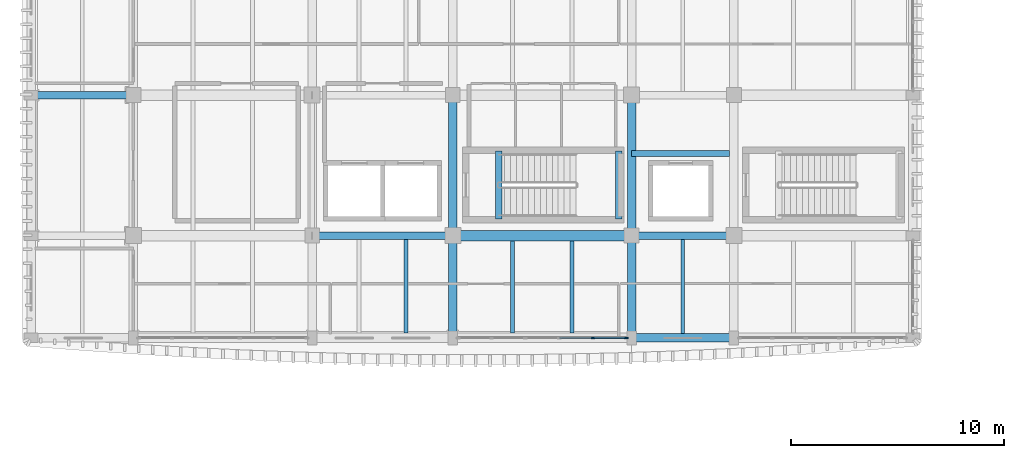
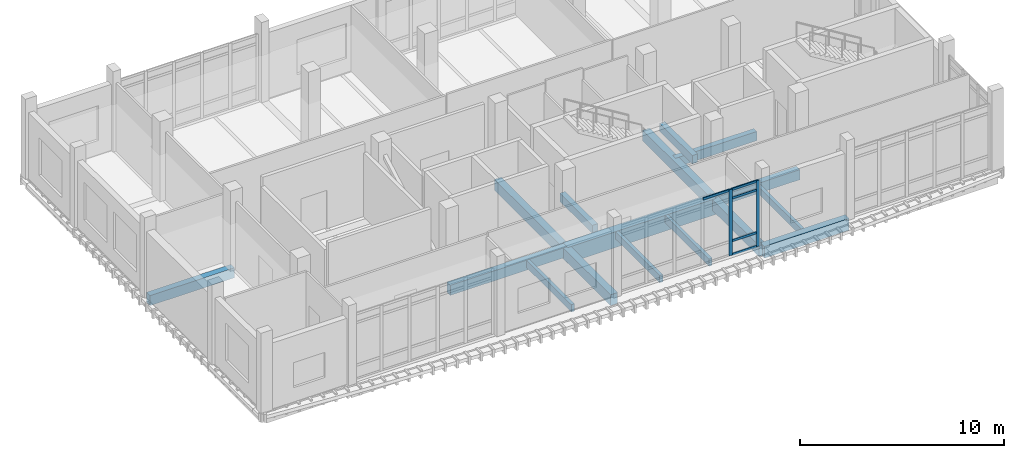
# One storey, part 3 of 37: 16 beams, 7 members, 1 element without a shape of its own.
"""IFC4 building model written with IfcOpenShell, lengths in metres."""

from ifc_helpers import new_model, si_unit, direction, frame, origin, origin_2d, place, context, subcontext, project, spatial, rectangle, extrude, material, material_profile, profile_set, type_object, element, aggregate, save


model = new_model("IFC4")

# Units and contexts
model_context = context("Model", 3, precision=1e-05, world=origin(), true_north=direction((0.0, 1.0)))
body_context = subcontext(model_context, "Body", "Model", "MODEL_VIEW")
ifc_project = project(units=[si_unit("LENGTHUNIT", "METRE"), si_unit("AREAUNIT", "SQUARE_METRE"), si_unit("VOLUMEUNIT", "CUBIC_METRE"), si_unit("PLANEANGLEUNIT", "RADIAN"), si_unit("MASSUNIT", "GRAM", prefix="KILO")], contexts=[model_context])

# Site, building, storey
site_placement = place(None, origin())
site = spatial("IfcSite", under=ifc_project, at=site_placement, CompositionType="ELEMENT")
building_placement = place(site_placement, origin())
building = spatial("IfcBuilding", under=site, at=building_placement, Name="Dornvale Research Institute", CompositionType="ELEMENT")
storey_placement = place(building_placement, frame((0.0, 0.0, 29.39990234375)))
storey = spatial("IfcBuildingStorey", under=building, at=storey_placement, Name="L06", CompositionType="ELEMENT", Elevation=29.39990234375)

# Beams
ifc_material_1 = material(Name="Concrete f'c 45 MPa (C35/45)", Category="concrete")
ifc_material_profile_1 = material_profile(ifc_material_1, rectangle(XDim=0.300048828125, YDim=0.5, at=origin_2d()), Name="RC 300x500")
ifc_profile_set_1 = profile_set([ifc_material_profile_1], Name="Concrete f'c 45 MPa (C35/45)")
beam_type_1 = type_object("IfcBeamType", Name="Beam_RC300x500_Trim", PredefinedType="BEAM", material=ifc_profile_set_1)
for number, where, z_axis, x_axis, name in (
    (1, (21.949951171875, 104.580078125, -0.25), (0.0, 1.0, 0.0), (-1.0, 0.0, 0.0), "L06 ST-1 stair landing trimmer beam #7"),
    (2, (27.60009765625, 104.580078125, 1.9501953125), (0.0, 1.0, 0.0), (-1.0, 0.0, 0.0), "L06 ST-1 half-landing support beam #20"),
):
    element("IfcBeam", number, at=place(storey_placement, frame(where, z_axis=z_axis, x_axis=x_axis)), inside=storey, type_object=beam_type_1, Name=name, PredefinedType="BEAM", context=body_context, shape_type="SweptSolid", body=[
        extrude(rectangle(XDim=0.300048828125, YDim=0.5, at=origin_2d()), origin(), (0.0, 0.0, 1.0), 3.199951171875),
    ])
ifc_material_2 = material(Name="Concrete f'c 45 MPa (C35/45)", Category="concrete")
ifc_material_profile_2 = material_profile(ifc_material_2, rectangle(XDim=0.35009765625, YDim=0.60009765625, at=origin_2d()), Name="RC 350x600")
ifc_profile_set_2 = profile_set([ifc_material_profile_2], Name="Concrete f'c 45 MPa (C35/45)")
beam_type_2 = type_object("IfcBeamType", Name="Beam_RC350x600_Floor", PredefinedType="BEAM", material=ifc_profile_set_2)
beam_1_placement = place(storey_placement, frame((13.199951171875, 103.800048828125, -0.2998046875), z_axis=(1.0, 0.0, 0.0), x_axis=(0.0, 1.0, 0.0)))
element("IfcBeam", 3, at=beam_1_placement, inside=storey, type_object=beam_type_2, Name="L06 primary girder #1448", PredefinedType="BEAM", context=body_context, shape_type="SweptSolid", body=[
    extrude(rectangle(XDim=0.35009765625, YDim=0.60009765625, at=origin_2d()), origin(), (0.0, 0.0, 1.0), 6.60009765625),
])
for number, where, z_axis, x_axis, name in (
    (4, (28.199951171875, 103.800048828125, -0.2998046875), (1.0, 0.0, 0.0), (0.0, 1.0, 0.0), "L06 primary girder #1450"),
    (5, (0.0, 110.39990234375, -0.2998046875), (1.0, 0.0, 0.0), (0.0, 1.0, 0.0), "L06 primary girder #1452"),
):
    element("IfcBeam", number, at=place(storey_placement, frame(where, z_axis=z_axis, x_axis=x_axis)), inside=storey, type_object=beam_type_2, Name=name, PredefinedType="BEAM", context=body_context, shape_type="SweptSolid", body=[
        extrude(rectangle(XDim=0.35009765625, YDim=0.60009765625, at=origin_2d()), origin(), (0.0, 0.0, 1.0), 4.800048828125),
    ])
ifc_material_3 = material(Name="Concrete f'c 45 MPa (C35/45)", Category="concrete")
ifc_material_profile_3 = material_profile(ifc_material_3, rectangle(XDim=0.39990234375, YDim=0.64990234375, at=origin_2d()), Name="RC 400x650")
ifc_profile_set_3 = profile_set([ifc_material_profile_3], Name="Concrete f'c 45 MPa (C35/45)")
beam_type_3 = type_object("IfcBeamType", Name="Beam_RC400x650_Floor", PredefinedType="BEAM", material=ifc_profile_set_3)
beam_2_placement = place(storey_placement, frame((19.800048828125, 99.0, -0.324951171875), z_axis=(0.0, 1.0, 0.0), x_axis=(-1.0, 0.0, 0.0)))
element("IfcBeam", 6, at=beam_2_placement, inside=storey, type_object=beam_type_3, Name="L06 transverse girder #1482", PredefinedType="BEAM", context=body_context, shape_type="SweptSolid", body=[
    extrude(rectangle(XDim=0.39990234375, YDim=0.64990234375, at=origin_2d()), origin(), (0.0, 0.0, 1.0), 4.800048828125),
])
beam_3_placement = place(storey_placement, frame((19.800048828125, 103.800048828125, -0.324951171875), z_axis=(0.0, 1.0, 0.0), x_axis=(-1.0, 0.0, 0.0)))
element("IfcBeam", 7, at=beam_3_placement, inside=storey, type_object=beam_type_3, Name="L06 transverse girder #1483", PredefinedType="BEAM", context=body_context, shape_type="SweptSolid", body=[
    extrude(rectangle(XDim=0.39990234375, YDim=0.64990234375, at=origin_2d()), origin(), (0.0, 0.0, 1.0), 6.599853515625),
])
beam_4_placement = place(storey_placement, frame((28.199951171875, 99.0, -0.324951171875), z_axis=(0.0, 1.0, 0.0), x_axis=(-1.0, 0.0, 0.0)))
element("IfcBeam", 8, at=beam_4_placement, inside=storey, type_object=beam_type_3, Name="L06 transverse girder #1486", PredefinedType="BEAM", context=body_context, shape_type="SweptSolid", body=[
    extrude(rectangle(XDim=0.39990234375, YDim=0.64990234375, at=origin_2d()), origin(), (0.0, 0.0, 1.0), 4.800048828125),
])
beam_5_placement = place(storey_placement, frame((28.199951171875, 103.800048828125, -0.324951171875), z_axis=(0.0, 1.0, 0.0), x_axis=(-1.0, 0.0, 0.0)))
element("IfcBeam", 9, at=beam_5_placement, inside=storey, type_object=beam_type_3, Name="L06 transverse girder #1487", PredefinedType="BEAM", context=body_context, shape_type="SweptSolid", body=[
    extrude(rectangle(XDim=0.39990234375, YDim=0.64990234375, at=origin_2d()), origin(), (0.0, 0.0, 1.0), 6.599853515625),
])
ifc_material_4 = material(Name="Concrete f'c 45 MPa (C35/45)", Category="concrete")
ifc_material_profile_4 = material_profile(ifc_material_4, rectangle(XDim=0.5, YDim=0.949951171875, at=origin_2d()), Name="RC 500x950")
ifc_profile_set_4 = profile_set([ifc_material_profile_4], Name="Concrete f'c 45 MPa (C35/45)")
beam_type_4 = type_object("IfcBeamType", Name="Beam_RC500x950_Girder", PredefinedType="BEAM", material=ifc_profile_set_4)
beam_6_placement = place(storey_placement, frame((19.800048828125, 103.800048828125, -0.474853515625), z_axis=(1.0, 0.0, 0.0), x_axis=(0.0, 1.0, 0.0)))
element("IfcBeam", 10, at=beam_6_placement, inside=storey, type_object=beam_type_4, Name="L06 primary girder #1449", PredefinedType="BEAM", context=body_context, shape_type="SweptSolid", body=[
    extrude(rectangle(XDim=0.5, YDim=0.949951171875, at=origin_2d()), origin(), (0.0, 0.0, 1.0), 8.39990234375),
])
ifc_material_5 = material(Name="Concrete f'c 45 MPa (C35/45)", Category="concrete")
ifc_material_profile_5 = material_profile(ifc_material_5, rectangle(XDim=0.179931640625, YDim=0.43505859375, at=origin_2d()), Name="RC 180x435")
ifc_profile_set_5 = profile_set([ifc_material_profile_5], Name="Concrete f'c 45 MPa (C35/45)")
beam_type_5 = type_object("IfcBeamType", Name="Joist_RC180x435_Rib", PredefinedType="JOIST", material=ifc_profile_set_5)
beam_7_placement = place(storey_placement, frame((17.60009765625, 99.22509765625, -0.21728515625), z_axis=(0.0, 1.0, 0.0), x_axis=(-1.0, 0.0, 0.0)))
element("IfcBeam", 11, at=beam_7_placement, inside=storey, type_object=beam_type_5, Name="L06 laboratory waffle joist #707", PredefinedType="JOIST", context=body_context, shape_type="SweptSolid", body=[
    extrude(rectangle(XDim=0.179931640625, YDim=0.43505859375, at=origin_2d()), origin(), (0.0, 0.0, 1.0), 4.39990234375),
])
for number, where, z_axis, x_axis, name in (
    (12, (22.60009765625, 99.22509765625, -0.21728515625), (0.0, 1.0, 0.0), (-1.0, 0.0, 0.0), "L06 laboratory waffle joist #712"),
    (13, (25.39990234375, 99.22509765625, -0.21728515625), (0.0, 1.0, 0.0), (-1.0, 0.0, 0.0), "L06 laboratory waffle joist #713"),
):
    element("IfcBeam", number, at=place(storey_placement, frame(where, z_axis=z_axis, x_axis=x_axis)), inside=storey, type_object=beam_type_5, Name=name, PredefinedType="JOIST", context=body_context, shape_type="SweptSolid", body=[
        extrude(rectangle(XDim=0.179931640625, YDim=0.43505859375, at=origin_2d()), origin(), (0.0, 0.0, 1.0), 4.324951171875),
    ])
beam_8_placement = place(storey_placement, frame((30.60009765625, 99.199951171875, -0.21728515625), z_axis=(0.0, 1.0, 0.0), x_axis=(-1.0, 0.0, 0.0)))
element("IfcBeam", 14, at=beam_8_placement, inside=storey, type_object=beam_type_5, Name="L06 laboratory waffle joist #718", PredefinedType="JOIST", context=body_context, shape_type="SweptSolid", body=[
    extrude(rectangle(XDim=0.179931640625, YDim=0.43505859375, at=origin_2d()), origin(), (0.0, 0.0, 1.0), 4.425048828125),
])
ifc_material_6 = material(Name="Concrete f'c 45 MPa (C35/45)", Category="concrete")
ifc_material_profile_6 = material_profile(ifc_material_6, rectangle(XDim=0.300048828125, YDim=0.550048828125, at=origin_2d()), Name="RC 300x550")
ifc_profile_set_6 = profile_set([ifc_material_profile_6], Name="Concrete f'c 45 MPa (C35/45)")
beam_type_6 = type_object("IfcBeamType", Name="Lintel_RC300x550_Core", PredefinedType="LINTEL", material=ifc_profile_set_6)
beam_9_placement = place(storey_placement, frame((28.199951171875, 107.659912109375, -0.27490234375), z_axis=(1.0, 0.0, 0.0), x_axis=(0.0, 1.0, 0.0)))
element("IfcBeam", 15, at=beam_9_placement, inside=storey, type_object=beam_type_6, Name="L06 core coupling lintel #2032", PredefinedType="LINTEL", context=body_context, shape_type="SweptSolid", body=[
    extrude(rectangle(XDim=0.300048828125, YDim=0.550048828125, at=origin_2d()), origin(), (0.0, 0.0, 1.0), 4.60009765625),
])

# Curtain wall, members
ifc_material_7 = material(Name="Low-E Argon Double Insulating Glazing Unit", Category="glass")
curtain_wall_type = type_object("IfcCurtainWallType", Name="UnitisedCurtainWall_V5_7950x3950", PredefinedType="USERDEFINED", material=ifc_material_7)
curtain_wall_placement = place(storey_placement, origin())
curtain_wall = element("IfcCurtainWall", 16, at=curtain_wall_placement, inside=storey, type_object=curtain_wall_type, Name="L06 V5 unitised curtain wall CW-30 #179", ObjectType="UNITISED CURTAIN WALL", PredefinedType="USERDEFINED")
ifc_material_8 = material(Name="Anodized Aluminum AA 6063-T6 Thermally Broken Frame", Category="aluminium")
ifc_material_profile_7 = material_profile(ifc_material_8, rectangle(XDim=0.06494140625, YDim=0.179931640625, at=origin_2d()), Name="ALU MULLION 65x180")
ifc_profile_set_7 = profile_set([ifc_material_profile_7], Name="Anodized Aluminum AA 6063-T6 Thermally Broken Frame")
member_type_1 = type_object("IfcMemberType", Name="Mullion_CW_65x180", PredefinedType="MULLION", material=ifc_profile_set_7)
member_1_placement = place(storey_placement, frame((27.9423828125, 99.0, 0.0), z_axis=(0.0, 0.0, 1.0), x_axis=(0.0, -1.0, 0.0)))
member_1 = element("IfcMember", 17, at=member_1_placement, type_object=member_type_1, Name="CW-30 mullion 1", PredefinedType="MULLION", context=body_context, shape_type="SweptSolid", body=[
    extrude(rectangle(XDim=0.06494140625, YDim=0.179931640625, at=origin_2d()), origin(), (0.0, 0.0, 1.0), 3.9501953125),
])
member_2_placement = place(storey_placement, frame((26.385009765625, 99.0, 0.0), z_axis=(0.0, 0.0, 1.0), x_axis=(0.0, -1.0, 0.0)))
member_2 = element("IfcMember", 18, at=member_2_placement, type_object=member_type_1, Name="CW-30 mullion 2", PredefinedType="MULLION", context=body_context, shape_type="SweptSolid", body=[
    extrude(rectangle(XDim=0.06494140625, YDim=0.179931640625, at=origin_2d()), origin(), (0.0, 0.0, 1.0), 3.9501953125),
])

# Beam
ifc_material_9 = material(Name="Concrete f'c 45 MPa (C35/45)", Category="concrete")
ifc_material_profile_8 = material_profile(ifc_material_9, rectangle(XDim=0.39990234375, YDim=0.699951171875, at=origin_2d()), Name="RC 400x700")
ifc_profile_set_8 = profile_set([ifc_material_profile_8], Name="Concrete f'c 45 MPa (C35/45)")
beam_type_7 = type_object("IfcBeamType", Name="Spandrel_RC400x700_Ext", PredefinedType="SPANDREL", material=ifc_profile_set_8)
beam_10_placement = place(storey_placement, frame((28.199951171875, 99.0, -0.349853515625), z_axis=(1.0, 0.0, 0.0), x_axis=(0.0, 1.0, 0.0)))
element("IfcBeam", 19, at=beam_10_placement, inside=storey, type_object=beam_type_7, Name="L06 perimeter spandrel #1444", PredefinedType="SPANDREL", context=body_context, shape_type="SweptSolid", body=[
    extrude(rectangle(XDim=0.39990234375, YDim=0.699951171875, at=origin_2d()), origin(), (0.0, 0.0, 1.0), 4.800048828125),
])

# Member
ifc_material_10 = material(Name="Anodized Aluminum AA 6063-T6 Thermally Broken Frame", Category="aluminium")
ifc_material_profile_9 = material_profile(ifc_material_10, rectangle(XDim=0.06494140625, YDim=0.135009765625, at=origin_2d()), Name="ALU TRANSOM 65x135")
ifc_profile_set_9 = profile_set([ifc_material_profile_9], Name="Anodized Aluminum AA 6063-T6 Thermally Broken Frame")
member_type_2 = type_object("IfcMemberType", Name="Transom_CW_65x135", PredefinedType="USERDEFINED", material=ifc_profile_set_9)
member_3_placement = place(storey_placement, frame((27.909912109375, 99.0, 0.03271484375), z_axis=(-1.0, 0.0, 0.0), x_axis=(0.0, -1.0, 0.0)))
member_3 = element("IfcMember", 20, at=member_3_placement, type_object=member_type_2, Name="CW-30 transom 1.1", ObjectType="TRANSOM", PredefinedType="USERDEFINED", context=body_context, shape_type="SweptSolid", body=[
    extrude(rectangle(XDim=0.06494140625, YDim=0.135009765625, at=origin_2d()), origin(), (0.0, 0.0, 1.0), 1.492431640625),
])

member_4_placement = place(storey_placement, frame((27.909912109375, 99.0, 0.85009765625), z_axis=(-1.0, 0.0, 0.0), x_axis=(0.0, -1.0, 0.0)))
member_4 = element("IfcMember", 21, at=member_4_placement, type_object=member_type_2, Name="CW-30 transom 1.2", ObjectType="TRANSOM", PredefinedType="USERDEFINED", context=body_context, shape_type="SweptSolid", body=[
    extrude(rectangle(XDim=0.06494140625, YDim=0.135009765625, at=origin_2d()), origin(), (0.0, 0.0, 1.0), 1.492431640625),
])

member_5_placement = place(storey_placement, frame((27.909912109375, 99.0, 3.400146484375), z_axis=(-1.0, 0.0, 0.0), x_axis=(0.0, -1.0, 0.0)))
member_5 = element("IfcMember", 22, at=member_5_placement, type_object=member_type_2, Name="CW-30 transom 1.3", ObjectType="TRANSOM", PredefinedType="USERDEFINED", context=body_context, shape_type="SweptSolid", body=[
    extrude(rectangle(XDim=0.06494140625, YDim=0.135009765625, at=origin_2d()), origin(), (0.0, 0.0, 1.0), 1.492431640625),
])

member_6_placement = place(storey_placement, frame((27.909912109375, 99.0, 3.91748046875), z_axis=(-1.0, 0.0, 0.0), x_axis=(0.0, -1.0, 0.0)))
member_6 = element("IfcMember", 23, at=member_6_placement, type_object=member_type_2, Name="CW-30 transom 1.4", ObjectType="TRANSOM", PredefinedType="USERDEFINED", context=body_context, shape_type="SweptSolid", body=[
    extrude(rectangle(XDim=0.06494140625, YDim=0.135009765625, at=origin_2d()), origin(), (0.0, 0.0, 1.0), 1.492431640625),
])

member_7_placement = place(storey_placement, frame((26.3525390625, 99.0, 3.91748046875), z_axis=(-1.0, 0.0, 0.0), x_axis=(0.0, -1.0, 0.0)))
member_7 = element("IfcMember", 24, at=member_7_placement, type_object=member_type_2, Name="CW-30 transom 2.4", ObjectType="TRANSOM", PredefinedType="USERDEFINED", context=body_context, shape_type="SweptSolid", body=[
    extrude(rectangle(XDim=0.06494140625, YDim=0.135009765625, at=origin_2d()), origin(), (0.0, 0.0, 1.0), 1.525146484375),
])

aggregate(curtain_wall, [member_1, member_2, member_3, member_4, member_5, member_6, member_7])

save(model, "model.ifc")
